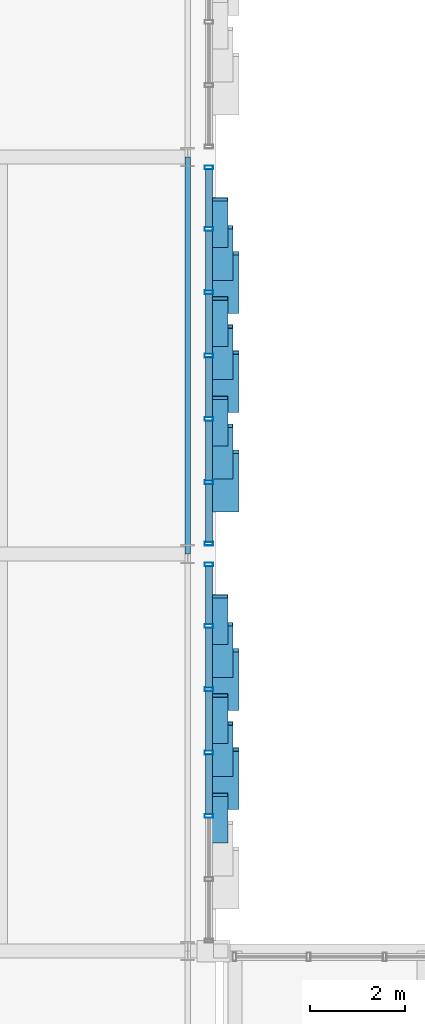
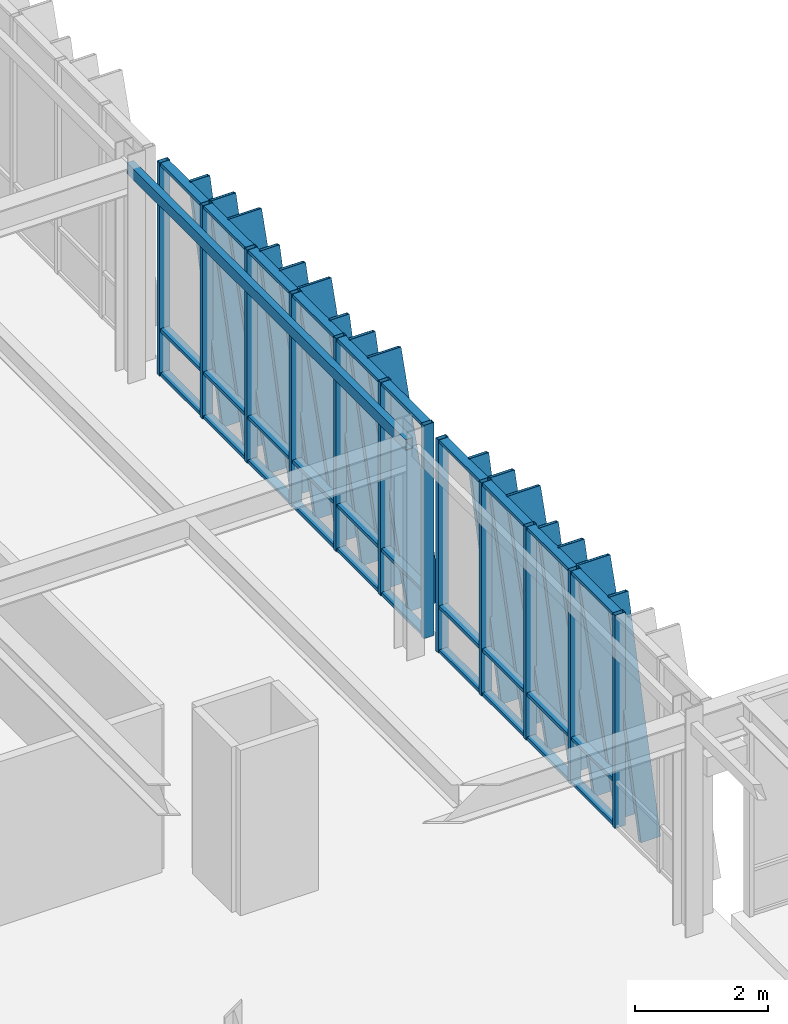
# One storey, part 60 of 127: 58 members, 1 beam, 2 elements without a shape of their own.
"""IFC4 building model written with IfcOpenShell, lengths in metres."""

from ifc_helpers import new_model, si_unit, direction, frame, origin, origin_2d, place, context, subcontext, project, spatial, hollow_rectangle, extrude, material, layer, layer_set, material_profile, profile_set, type_object, element, aggregate, save


model = new_model("IFC4")

# Units and contexts
model_context = context("Model", 3, precision=1e-05, world=origin(), true_north=direction((0.0, 1.0)))
body_context = subcontext(model_context, "Body", "Model", "MODEL_VIEW")
ifc_project = project(units=[si_unit("LENGTHUNIT", "METRE"), si_unit("AREAUNIT", "SQUARE_METRE"), si_unit("VOLUMEUNIT", "CUBIC_METRE"), si_unit("PLANEANGLEUNIT", "RADIAN"), si_unit("MASSUNIT", "GRAM", prefix="KILO")], contexts=[model_context])

# Site, building, storey
site_placement = place(None, origin())
site = spatial("IfcSite", under=ifc_project, at=site_placement, CompositionType="ELEMENT")
building_placement = place(site_placement, origin())
building = spatial("IfcBuilding", under=site, at=building_placement, Name="Zayran Congress Hotel", CompositionType="ELEMENT")
storey_placement = place(building_placement, frame((0.0, 0.0, 10.800048828125)))
storey = spatial("IfcBuildingStorey", under=building, at=storey_placement, Name="L02", CompositionType="ELEMENT", Elevation=10.800048828125)

# Beam
ifc_material_1 = material(Name="Steel S355", Category="steel")
ifc_material_profile_1 = material_profile(ifc_material_1, hollow_rectangle(XDim=0.1201171875, YDim=0.199951171875, WallThickness=0.008056640625, at=origin_2d()), Name="RHS 200x120x8")
ifc_profile_set_1 = profile_set([ifc_material_profile_1], Name="Steel S355")
beam_type = type_object("IfcBeamType", Name="TP-SP-02", PredefinedType="SPANDREL", material=ifc_profile_set_1)
beam_placement = place(storey_placement, frame((91.800048828125, 92.800048828125, 3.820068359375), z_axis=(0.0, 1.0, 0.0), x_axis=(-1.0, 0.0, 0.0)))
element("IfcBeam", 1, at=beam_placement, inside=storey, type_object=beam_type, Name="BM-V1-L02-0754", PredefinedType="SPANDREL", context=body_context, shape_type="SweptSolid", body=[
    extrude(hollow_rectangle(XDim=0.1201171875, YDim=0.199951171875, WallThickness=0.008056640625, at=origin_2d()), origin(), (0.0, 0.0, 1.0), 8.39990234375),
])

# Curtain wall, members
ifc_material_2 = material(Name="Anodised aluminium and low-E insulated glass", Category="aluminium")
ifc_layer_1 = layer(ifc_material_2, 0.179931640625)
ifc_layer_set_1 = layer_set([ifc_layer_1], Name="Anodised aluminium and low-E insulated glass")
curtain_wall_type_1 = type_object("IfcCurtainWallType", Name="CW-V1E-L02-CW-41-8040-3920", PredefinedType="USERDEFINED", material=ifc_layer_set_1)
curtain_wall_1_placement = place(storey_placement, origin())
curtain_wall_1 = element("IfcCurtainWall", 2, at=curtain_wall_1_placement, inside=storey, type_object=curtain_wall_type_1, Name="CW-V1E-L02-2", ObjectType="CURTAIN WALL", PredefinedType="USERDEFINED")
ifc_material_3 = material(Name="Anodised aluminium framing", Category="aluminium")
ifc_material_profile_2 = material_profile(ifc_material_3, hollow_rectangle(XDim=0.080078125, YDim=0.179931640625, WallThickness=0.0048828125, at=origin_2d()), Name="RHS 180x80x5")
ifc_profile_set_2 = profile_set([ifc_material_profile_2], Name="Anodised aluminium framing")
member_type_1 = type_object("IfcMemberType", Name="TP-CWM-01", PredefinedType="MULLION", material=ifc_profile_set_2)
member_1_placement = place(storey_placement, frame((92.25, 87.260009765625, 0.0), z_axis=(0.0, 0.0, 1.0), x_axis=(0.0, 1.0, 0.0)))
member_1 = element("IfcMember", 3, at=member_1_placement, type_object=member_type_1, Name="CW-V1E-L02-2-M02", PredefinedType="MULLION", context=body_context, shape_type="SweptSolid", body=[
    extrude(hollow_rectangle(XDim=0.080078125, YDim=0.179931640625, WallThickness=0.0048828125, at=origin_2d()), origin(), (0.0, 0.0, 1.0), 3.919921875),
])
member_2_placement = place(storey_placement, frame((92.25, 88.60009765625, 0.0), z_axis=(0.0, 0.0, 1.0), x_axis=(0.0, 1.0, 0.0)))
member_2 = element("IfcMember", 4, at=member_2_placement, type_object=member_type_1, Name="CW-V1E-L02-2-M03", PredefinedType="MULLION", context=body_context, shape_type="SweptSolid", body=[
    extrude(hollow_rectangle(XDim=0.080078125, YDim=0.179931640625, WallThickness=0.0048828125, at=origin_2d()), origin(), (0.0, 0.0, 1.0), 3.919921875),
])
member_3_placement = place(storey_placement, frame((92.25, 89.93994140625, 0.0), z_axis=(0.0, 0.0, 1.0), x_axis=(0.0, 1.0, 0.0)))
member_3 = element("IfcMember", 5, at=member_3_placement, type_object=member_type_1, Name="CW-V1E-L02-2-M04", PredefinedType="MULLION", context=body_context, shape_type="SweptSolid", body=[
    extrude(hollow_rectangle(XDim=0.080078125, YDim=0.179931640625, WallThickness=0.0048828125, at=origin_2d()), origin(), (0.0, 0.0, 1.0), 3.919921875),
])
member_4_placement = place(storey_placement, frame((92.25, 91.280029296875, 0.0), z_axis=(0.0, 0.0, 1.0), x_axis=(0.0, 1.0, 0.0)))
member_4 = element("IfcMember", 6, at=member_4_placement, type_object=member_type_1, Name="CW-V1E-L02-2-M05", PredefinedType="MULLION", context=body_context, shape_type="SweptSolid", body=[
    extrude(hollow_rectangle(XDim=0.080078125, YDim=0.179931640625, WallThickness=0.0048828125, at=origin_2d()), origin(), (0.0, 0.0, 1.0), 3.919921875),
])
member_5_placement = place(storey_placement, frame((92.25, 92.580078125, 0.0), z_axis=(0.0, 0.0, 1.0), x_axis=(0.0, 1.0, 0.0)))
member_5 = element("IfcMember", 7, at=member_5_placement, type_object=member_type_1, Name="CW-V1E-L02-2-M06", PredefinedType="MULLION", context=body_context, shape_type="SweptSolid", body=[
    extrude(hollow_rectangle(XDim=0.080078125, YDim=0.179931640625, WallThickness=0.0048828125, at=origin_2d()), origin(), (0.0, 0.0, 1.0), 3.919921875),
])

ifc_layer_2 = layer(ifc_material_2, 0.179931640625)
ifc_layer_set_2 = layer_set([ifc_layer_2], Name="Anodised aluminium and low-E insulated glass")
curtain_wall_type_2 = type_object("IfcCurtainWallType", Name="CW-V1E-L02-CW-42-8040-3920", PredefinedType="USERDEFINED", material=ifc_layer_set_2)
curtain_wall_2_placement = place(storey_placement, origin())
curtain_wall_2 = element("IfcCurtainWall", 8, at=curtain_wall_2_placement, inside=storey, type_object=curtain_wall_type_2, Name="CW-V1E-L02-3", ObjectType="CURTAIN WALL", PredefinedType="USERDEFINED")
member_6_placement = place(storey_placement, frame((92.25, 93.02001953125, 0.0), z_axis=(0.0, 0.0, 1.0), x_axis=(0.0, 1.0, 0.0)))
member_6 = element("IfcMember", 9, at=member_6_placement, type_object=member_type_1, Name="CW-V1E-L02-3-M00", PredefinedType="MULLION", context=body_context, shape_type="SweptSolid", body=[
    extrude(hollow_rectangle(XDim=0.080078125, YDim=0.179931640625, WallThickness=0.0048828125, at=origin_2d()), origin(), (0.0, 0.0, 1.0), 3.919921875),
])
member_7_placement = place(storey_placement, frame((92.25, 94.320068359375, 0.0), z_axis=(0.0, 0.0, 1.0), x_axis=(0.0, 1.0, 0.0)))
member_7 = element("IfcMember", 10, at=member_7_placement, type_object=member_type_1, Name="CW-V1E-L02-3-M01", PredefinedType="MULLION", context=body_context, shape_type="SweptSolid", body=[
    extrude(hollow_rectangle(XDim=0.080078125, YDim=0.179931640625, WallThickness=0.0048828125, at=origin_2d()), origin(), (0.0, 0.0, 1.0), 3.919921875),
])
member_8_placement = place(storey_placement, frame((92.25, 95.659912109375, 0.0), z_axis=(0.0, 0.0, 1.0), x_axis=(0.0, 1.0, 0.0)))
member_8 = element("IfcMember", 11, at=member_8_placement, type_object=member_type_1, Name="CW-V1E-L02-3-M02", PredefinedType="MULLION", context=body_context, shape_type="SweptSolid", body=[
    extrude(hollow_rectangle(XDim=0.080078125, YDim=0.179931640625, WallThickness=0.0048828125, at=origin_2d()), origin(), (0.0, 0.0, 1.0), 3.919921875),
])
member_9_placement = place(storey_placement, frame((92.25, 97.0, 0.0), z_axis=(0.0, 0.0, 1.0), x_axis=(0.0, 1.0, 0.0)))
member_9 = element("IfcMember", 12, at=member_9_placement, type_object=member_type_1, Name="CW-V1E-L02-3-M03", PredefinedType="MULLION", context=body_context, shape_type="SweptSolid", body=[
    extrude(hollow_rectangle(XDim=0.080078125, YDim=0.179931640625, WallThickness=0.0048828125, at=origin_2d()), origin(), (0.0, 0.0, 1.0), 3.919921875),
])
member_10_placement = place(storey_placement, frame((92.25, 98.340087890625, 0.0), z_axis=(0.0, 0.0, 1.0), x_axis=(0.0, 1.0, 0.0)))
member_10 = element("IfcMember", 13, at=member_10_placement, type_object=member_type_1, Name="CW-V1E-L02-3-M04", PredefinedType="MULLION", context=body_context, shape_type="SweptSolid", body=[
    extrude(hollow_rectangle(XDim=0.080078125, YDim=0.179931640625, WallThickness=0.0048828125, at=origin_2d()), origin(), (0.0, 0.0, 1.0), 3.919921875),
])
member_11_placement = place(storey_placement, frame((92.25, 99.679931640625, 0.0), z_axis=(0.0, 0.0, 1.0), x_axis=(0.0, 1.0, 0.0)))
member_11 = element("IfcMember", 14, at=member_11_placement, type_object=member_type_1, Name="CW-V1E-L02-3-M05", PredefinedType="MULLION", context=body_context, shape_type="SweptSolid", body=[
    extrude(hollow_rectangle(XDim=0.080078125, YDim=0.179931640625, WallThickness=0.0048828125, at=origin_2d()), origin(), (0.0, 0.0, 1.0), 3.919921875),
])
member_12_placement = place(storey_placement, frame((92.25, 100.97998046875, 0.0), z_axis=(0.0, 0.0, 1.0), x_axis=(0.0, 1.0, 0.0)))
member_12 = element("IfcMember", 15, at=member_12_placement, type_object=member_type_1, Name="CW-V1E-L02-3-M06", PredefinedType="MULLION", context=body_context, shape_type="SweptSolid", body=[
    extrude(hollow_rectangle(XDim=0.080078125, YDim=0.179931640625, WallThickness=0.0048828125, at=origin_2d()), origin(), (0.0, 0.0, 1.0), 3.919921875),
])

# Member
ifc_material_profile_3 = material_profile(ifc_material_3, hollow_rectangle(XDim=0.06005859375, YDim=0.14990234375, WallThickness=0.00390625, at=origin_2d()), Name="RHS 150x60x4")
ifc_profile_set_3 = profile_set([ifc_material_profile_3], Name="Anodised aluminium framing")
member_type_2 = type_object("IfcMemberType", Name="TP-CWT-01", PredefinedType="USERDEFINED", material=ifc_profile_set_3)
member_13_placement = place(storey_placement, frame((92.25, 87.300048828125, 0.030029296875), z_axis=(0.0, 1.0, 0.0), x_axis=(0.0, 0.0, 1.0)))
member_13 = element("IfcMember", 16, at=member_13_placement, type_object=member_type_2, Name="CW-V1E-L02-2-T02-0", ObjectType="TRANSOM", PredefinedType="USERDEFINED", context=body_context, shape_type="SweptSolid", body=[
    extrude(hollow_rectangle(XDim=0.06005859375, YDim=0.14990234375, WallThickness=0.00390625, at=origin_2d()), origin(), (0.0, 0.0, 1.0), 1.260009765625),
])

member_14_placement = place(storey_placement, frame((92.25, 87.300048828125, 0.83984375), z_axis=(0.0, 1.0, 0.0), x_axis=(0.0, 0.0, 1.0)))
member_14 = element("IfcMember", 17, at=member_14_placement, type_object=member_type_2, Name="CW-V1E-L02-2-T02-1", ObjectType="TRANSOM", PredefinedType="USERDEFINED", context=body_context, shape_type="SweptSolid", body=[
    extrude(hollow_rectangle(XDim=0.06005859375, YDim=0.14990234375, WallThickness=0.00390625, at=origin_2d()), origin(), (0.0, 0.0, 1.0), 1.260009765625),
])

member_15_placement = place(storey_placement, frame((92.25, 87.300048828125, 3.889892578125), z_axis=(0.0, 1.0, 0.0), x_axis=(0.0, 0.0, 1.0)))
member_15 = element("IfcMember", 18, at=member_15_placement, type_object=member_type_2, Name="CW-V1E-L02-2-T02-2", ObjectType="TRANSOM", PredefinedType="USERDEFINED", context=body_context, shape_type="SweptSolid", body=[
    extrude(hollow_rectangle(XDim=0.06005859375, YDim=0.14990234375, WallThickness=0.00390625, at=origin_2d()), origin(), (0.0, 0.0, 1.0), 1.260009765625),
])

member_16_placement = place(storey_placement, frame((92.25, 88.639892578125, 0.030029296875), z_axis=(0.0, 1.0, 0.0), x_axis=(0.0, 0.0, 1.0)))
member_16 = element("IfcMember", 19, at=member_16_placement, type_object=member_type_2, Name="CW-V1E-L02-2-T03-0", ObjectType="TRANSOM", PredefinedType="USERDEFINED", context=body_context, shape_type="SweptSolid", body=[
    extrude(hollow_rectangle(XDim=0.06005859375, YDim=0.14990234375, WallThickness=0.00390625, at=origin_2d()), origin(), (0.0, 0.0, 1.0), 1.260009765625),
])

member_17_placement = place(storey_placement, frame((92.25, 88.639892578125, 0.83984375), z_axis=(0.0, 1.0, 0.0), x_axis=(0.0, 0.0, 1.0)))
member_17 = element("IfcMember", 20, at=member_17_placement, type_object=member_type_2, Name="CW-V1E-L02-2-T03-1", ObjectType="TRANSOM", PredefinedType="USERDEFINED", context=body_context, shape_type="SweptSolid", body=[
    extrude(hollow_rectangle(XDim=0.06005859375, YDim=0.14990234375, WallThickness=0.00390625, at=origin_2d()), origin(), (0.0, 0.0, 1.0), 1.260009765625),
])

member_18_placement = place(storey_placement, frame((92.25, 88.639892578125, 3.889892578125), z_axis=(0.0, 1.0, 0.0), x_axis=(0.0, 0.0, 1.0)))
member_18 = element("IfcMember", 21, at=member_18_placement, type_object=member_type_2, Name="CW-V1E-L02-2-T03-2", ObjectType="TRANSOM", PredefinedType="USERDEFINED", context=body_context, shape_type="SweptSolid", body=[
    extrude(hollow_rectangle(XDim=0.06005859375, YDim=0.14990234375, WallThickness=0.00390625, at=origin_2d()), origin(), (0.0, 0.0, 1.0), 1.260009765625),
])

member_19_placement = place(storey_placement, frame((92.25, 89.97998046875, 0.030029296875), z_axis=(0.0, 1.0, 0.0), x_axis=(0.0, 0.0, 1.0)))
member_19 = element("IfcMember", 22, at=member_19_placement, type_object=member_type_2, Name="CW-V1E-L02-2-T04-0", ObjectType="TRANSOM", PredefinedType="USERDEFINED", context=body_context, shape_type="SweptSolid", body=[
    extrude(hollow_rectangle(XDim=0.06005859375, YDim=0.14990234375, WallThickness=0.00390625, at=origin_2d()), origin(), (0.0, 0.0, 1.0), 1.260009765625),
])

member_20_placement = place(storey_placement, frame((92.25, 89.97998046875, 0.83984375), z_axis=(0.0, 1.0, 0.0), x_axis=(0.0, 0.0, 1.0)))
member_20 = element("IfcMember", 23, at=member_20_placement, type_object=member_type_2, Name="CW-V1E-L02-2-T04-1", ObjectType="TRANSOM", PredefinedType="USERDEFINED", context=body_context, shape_type="SweptSolid", body=[
    extrude(hollow_rectangle(XDim=0.06005859375, YDim=0.14990234375, WallThickness=0.00390625, at=origin_2d()), origin(), (0.0, 0.0, 1.0), 1.260009765625),
])

member_21_placement = place(storey_placement, frame((92.25, 89.97998046875, 3.889892578125), z_axis=(0.0, 1.0, 0.0), x_axis=(0.0, 0.0, 1.0)))
member_21 = element("IfcMember", 24, at=member_21_placement, type_object=member_type_2, Name="CW-V1E-L02-2-T04-2", ObjectType="TRANSOM", PredefinedType="USERDEFINED", context=body_context, shape_type="SweptSolid", body=[
    extrude(hollow_rectangle(XDim=0.06005859375, YDim=0.14990234375, WallThickness=0.00390625, at=origin_2d()), origin(), (0.0, 0.0, 1.0), 1.260009765625),
])

member_22_placement = place(storey_placement, frame((92.25, 91.320068359375, 0.030029296875), z_axis=(0.0, 1.0, 0.0), x_axis=(0.0, 0.0, 1.0)))
member_22 = element("IfcMember", 25, at=member_22_placement, type_object=member_type_2, Name="CW-V1E-L02-2-T05-0", ObjectType="TRANSOM", PredefinedType="USERDEFINED", context=body_context, shape_type="SweptSolid", body=[
    extrude(hollow_rectangle(XDim=0.06005859375, YDim=0.14990234375, WallThickness=0.00390625, at=origin_2d()), origin(), (0.0, 0.0, 1.0), 1.219970703125),
])

member_23_placement = place(storey_placement, frame((92.25, 91.320068359375, 0.83984375), z_axis=(0.0, 1.0, 0.0), x_axis=(0.0, 0.0, 1.0)))
member_23 = element("IfcMember", 26, at=member_23_placement, type_object=member_type_2, Name="CW-V1E-L02-2-T05-1", ObjectType="TRANSOM", PredefinedType="USERDEFINED", context=body_context, shape_type="SweptSolid", body=[
    extrude(hollow_rectangle(XDim=0.06005859375, YDim=0.14990234375, WallThickness=0.00390625, at=origin_2d()), origin(), (0.0, 0.0, 1.0), 1.219970703125),
])

member_24_placement = place(storey_placement, frame((92.25, 91.320068359375, 3.889892578125), z_axis=(0.0, 1.0, 0.0), x_axis=(0.0, 0.0, 1.0)))
member_24 = element("IfcMember", 27, at=member_24_placement, type_object=member_type_2, Name="CW-V1E-L02-2-T05-2", ObjectType="TRANSOM", PredefinedType="USERDEFINED", context=body_context, shape_type="SweptSolid", body=[
    extrude(hollow_rectangle(XDim=0.06005859375, YDim=0.14990234375, WallThickness=0.00390625, at=origin_2d()), origin(), (0.0, 0.0, 1.0), 1.219970703125),
])

member_25_placement = place(storey_placement, frame((92.25, 93.06005859375, 0.030029296875), z_axis=(0.0, 1.0, 0.0), x_axis=(0.0, 0.0, 1.0)))
member_25 = element("IfcMember", 28, at=member_25_placement, type_object=member_type_2, Name="CW-V1E-L02-3-T00-0", ObjectType="TRANSOM", PredefinedType="USERDEFINED", context=body_context, shape_type="SweptSolid", body=[
    extrude(hollow_rectangle(XDim=0.06005859375, YDim=0.14990234375, WallThickness=0.00390625, at=origin_2d()), origin(), (0.0, 0.0, 1.0), 1.219970703125),
])

member_26_placement = place(storey_placement, frame((92.25, 93.06005859375, 0.83984375), z_axis=(0.0, 1.0, 0.0), x_axis=(0.0, 0.0, 1.0)))
member_26 = element("IfcMember", 29, at=member_26_placement, type_object=member_type_2, Name="CW-V1E-L02-3-T00-1", ObjectType="TRANSOM", PredefinedType="USERDEFINED", context=body_context, shape_type="SweptSolid", body=[
    extrude(hollow_rectangle(XDim=0.06005859375, YDim=0.14990234375, WallThickness=0.00390625, at=origin_2d()), origin(), (0.0, 0.0, 1.0), 1.219970703125),
])

member_27_placement = place(storey_placement, frame((92.25, 93.06005859375, 3.889892578125), z_axis=(0.0, 1.0, 0.0), x_axis=(0.0, 0.0, 1.0)))
member_27 = element("IfcMember", 30, at=member_27_placement, type_object=member_type_2, Name="CW-V1E-L02-3-T00-2", ObjectType="TRANSOM", PredefinedType="USERDEFINED", context=body_context, shape_type="SweptSolid", body=[
    extrude(hollow_rectangle(XDim=0.06005859375, YDim=0.14990234375, WallThickness=0.00390625, at=origin_2d()), origin(), (0.0, 0.0, 1.0), 1.219970703125),
])

member_28_placement = place(storey_placement, frame((92.25, 94.360107421875, 0.030029296875), z_axis=(0.0, 1.0, 0.0), x_axis=(0.0, 0.0, 1.0)))
member_28 = element("IfcMember", 31, at=member_28_placement, type_object=member_type_2, Name="CW-V1E-L02-3-T01-0", ObjectType="TRANSOM", PredefinedType="USERDEFINED", context=body_context, shape_type="SweptSolid", body=[
    extrude(hollow_rectangle(XDim=0.06005859375, YDim=0.14990234375, WallThickness=0.00390625, at=origin_2d()), origin(), (0.0, 0.0, 1.0), 1.260009765625),
])

member_29_placement = place(storey_placement, frame((92.25, 94.360107421875, 0.83984375), z_axis=(0.0, 1.0, 0.0), x_axis=(0.0, 0.0, 1.0)))
member_29 = element("IfcMember", 32, at=member_29_placement, type_object=member_type_2, Name="CW-V1E-L02-3-T01-1", ObjectType="TRANSOM", PredefinedType="USERDEFINED", context=body_context, shape_type="SweptSolid", body=[
    extrude(hollow_rectangle(XDim=0.06005859375, YDim=0.14990234375, WallThickness=0.00390625, at=origin_2d()), origin(), (0.0, 0.0, 1.0), 1.260009765625),
])

member_30_placement = place(storey_placement, frame((92.25, 94.360107421875, 3.889892578125), z_axis=(0.0, 1.0, 0.0), x_axis=(0.0, 0.0, 1.0)))
member_30 = element("IfcMember", 33, at=member_30_placement, type_object=member_type_2, Name="CW-V1E-L02-3-T01-2", ObjectType="TRANSOM", PredefinedType="USERDEFINED", context=body_context, shape_type="SweptSolid", body=[
    extrude(hollow_rectangle(XDim=0.06005859375, YDim=0.14990234375, WallThickness=0.00390625, at=origin_2d()), origin(), (0.0, 0.0, 1.0), 1.260009765625),
])

member_31_placement = place(storey_placement, frame((92.25, 95.699951171875, 0.030029296875), z_axis=(0.0, 1.0, 0.0), x_axis=(0.0, 0.0, 1.0)))
member_31 = element("IfcMember", 34, at=member_31_placement, type_object=member_type_2, Name="CW-V1E-L02-3-T02-0", ObjectType="TRANSOM", PredefinedType="USERDEFINED", context=body_context, shape_type="SweptSolid", body=[
    extrude(hollow_rectangle(XDim=0.06005859375, YDim=0.14990234375, WallThickness=0.00390625, at=origin_2d()), origin(), (0.0, 0.0, 1.0), 1.260009765625),
])

member_32_placement = place(storey_placement, frame((92.25, 95.699951171875, 0.83984375), z_axis=(0.0, 1.0, 0.0), x_axis=(0.0, 0.0, 1.0)))
member_32 = element("IfcMember", 35, at=member_32_placement, type_object=member_type_2, Name="CW-V1E-L02-3-T02-1", ObjectType="TRANSOM", PredefinedType="USERDEFINED", context=body_context, shape_type="SweptSolid", body=[
    extrude(hollow_rectangle(XDim=0.06005859375, YDim=0.14990234375, WallThickness=0.00390625, at=origin_2d()), origin(), (0.0, 0.0, 1.0), 1.260009765625),
])

member_33_placement = place(storey_placement, frame((92.25, 95.699951171875, 3.889892578125), z_axis=(0.0, 1.0, 0.0), x_axis=(0.0, 0.0, 1.0)))
member_33 = element("IfcMember", 36, at=member_33_placement, type_object=member_type_2, Name="CW-V1E-L02-3-T02-2", ObjectType="TRANSOM", PredefinedType="USERDEFINED", context=body_context, shape_type="SweptSolid", body=[
    extrude(hollow_rectangle(XDim=0.06005859375, YDim=0.14990234375, WallThickness=0.00390625, at=origin_2d()), origin(), (0.0, 0.0, 1.0), 1.260009765625),
])

member_34_placement = place(storey_placement, frame((92.25, 97.0400390625, 0.030029296875), z_axis=(0.0, 1.0, 0.0), x_axis=(0.0, 0.0, 1.0)))
member_34 = element("IfcMember", 37, at=member_34_placement, type_object=member_type_2, Name="CW-V1E-L02-3-T03-0", ObjectType="TRANSOM", PredefinedType="USERDEFINED", context=body_context, shape_type="SweptSolid", body=[
    extrude(hollow_rectangle(XDim=0.06005859375, YDim=0.14990234375, WallThickness=0.00390625, at=origin_2d()), origin(), (0.0, 0.0, 1.0), 1.260009765625),
])

member_35_placement = place(storey_placement, frame((92.25, 97.0400390625, 0.83984375), z_axis=(0.0, 1.0, 0.0), x_axis=(0.0, 0.0, 1.0)))
member_35 = element("IfcMember", 38, at=member_35_placement, type_object=member_type_2, Name="CW-V1E-L02-3-T03-1", ObjectType="TRANSOM", PredefinedType="USERDEFINED", context=body_context, shape_type="SweptSolid", body=[
    extrude(hollow_rectangle(XDim=0.06005859375, YDim=0.14990234375, WallThickness=0.00390625, at=origin_2d()), origin(), (0.0, 0.0, 1.0), 1.260009765625),
])

member_36_placement = place(storey_placement, frame((92.25, 97.0400390625, 3.889892578125), z_axis=(0.0, 1.0, 0.0), x_axis=(0.0, 0.0, 1.0)))
member_36 = element("IfcMember", 39, at=member_36_placement, type_object=member_type_2, Name="CW-V1E-L02-3-T03-2", ObjectType="TRANSOM", PredefinedType="USERDEFINED", context=body_context, shape_type="SweptSolid", body=[
    extrude(hollow_rectangle(XDim=0.06005859375, YDim=0.14990234375, WallThickness=0.00390625, at=origin_2d()), origin(), (0.0, 0.0, 1.0), 1.260009765625),
])

member_37_placement = place(storey_placement, frame((92.25, 98.3798828125, 0.030029296875), z_axis=(0.0, 1.0, 0.0), x_axis=(0.0, 0.0, 1.0)))
member_37 = element("IfcMember", 40, at=member_37_placement, type_object=member_type_2, Name="CW-V1E-L02-3-T04-0", ObjectType="TRANSOM", PredefinedType="USERDEFINED", context=body_context, shape_type="SweptSolid", body=[
    extrude(hollow_rectangle(XDim=0.06005859375, YDim=0.14990234375, WallThickness=0.00390625, at=origin_2d()), origin(), (0.0, 0.0, 1.0), 1.260009765625),
])

member_38_placement = place(storey_placement, frame((92.25, 98.3798828125, 0.83984375), z_axis=(0.0, 1.0, 0.0), x_axis=(0.0, 0.0, 1.0)))
member_38 = element("IfcMember", 41, at=member_38_placement, type_object=member_type_2, Name="CW-V1E-L02-3-T04-1", ObjectType="TRANSOM", PredefinedType="USERDEFINED", context=body_context, shape_type="SweptSolid", body=[
    extrude(hollow_rectangle(XDim=0.06005859375, YDim=0.14990234375, WallThickness=0.00390625, at=origin_2d()), origin(), (0.0, 0.0, 1.0), 1.260009765625),
])

member_39_placement = place(storey_placement, frame((92.25, 98.3798828125, 3.889892578125), z_axis=(0.0, 1.0, 0.0), x_axis=(0.0, 0.0, 1.0)))
member_39 = element("IfcMember", 42, at=member_39_placement, type_object=member_type_2, Name="CW-V1E-L02-3-T04-2", ObjectType="TRANSOM", PredefinedType="USERDEFINED", context=body_context, shape_type="SweptSolid", body=[
    extrude(hollow_rectangle(XDim=0.06005859375, YDim=0.14990234375, WallThickness=0.00390625, at=origin_2d()), origin(), (0.0, 0.0, 1.0), 1.260009765625),
])

member_40_placement = place(storey_placement, frame((92.25, 99.719970703125, 0.030029296875), z_axis=(0.0, 1.0, 0.0), x_axis=(0.0, 0.0, 1.0)))
member_40 = element("IfcMember", 43, at=member_40_placement, type_object=member_type_2, Name="CW-V1E-L02-3-T05-0", ObjectType="TRANSOM", PredefinedType="USERDEFINED", context=body_context, shape_type="SweptSolid", body=[
    extrude(hollow_rectangle(XDim=0.06005859375, YDim=0.14990234375, WallThickness=0.00390625, at=origin_2d()), origin(), (0.0, 0.0, 1.0), 1.219970703125),
])

member_41_placement = place(storey_placement, frame((92.25, 99.719970703125, 0.83984375), z_axis=(0.0, 1.0, 0.0), x_axis=(0.0, 0.0, 1.0)))
member_41 = element("IfcMember", 44, at=member_41_placement, type_object=member_type_2, Name="CW-V1E-L02-3-T05-1", ObjectType="TRANSOM", PredefinedType="USERDEFINED", context=body_context, shape_type="SweptSolid", body=[
    extrude(hollow_rectangle(XDim=0.06005859375, YDim=0.14990234375, WallThickness=0.00390625, at=origin_2d()), origin(), (0.0, 0.0, 1.0), 1.219970703125),
])

member_42_placement = place(storey_placement, frame((92.25, 99.719970703125, 3.889892578125), z_axis=(0.0, 1.0, 0.0), x_axis=(0.0, 0.0, 1.0)))
member_42 = element("IfcMember", 45, at=member_42_placement, type_object=member_type_2, Name="CW-V1E-L02-3-T05-2", ObjectType="TRANSOM", PredefinedType="USERDEFINED", context=body_context, shape_type="SweptSolid", body=[
    extrude(hollow_rectangle(XDim=0.06005859375, YDim=0.14990234375, WallThickness=0.00390625, at=origin_2d()), origin(), (0.0, 0.0, 1.0), 1.219970703125),
])

ifc_material_4 = material(Name="Warm bronze anodised aluminium", Category="aluminium")
ifc_material_profile_4 = material_profile(ifc_material_4, hollow_rectangle(XDim=0.080078125, YDim=0.580078125, WallThickness=0.006103515625, at=origin_2d()), Name="RHS 580x80x6")
ifc_profile_set_4 = profile_set([ifc_material_profile_4], Name="Warm bronze anodised aluminium")
member_type_3 = type_object("IfcMemberType", Name="TP-RFN-01", PredefinedType="MULLION", material=ifc_profile_set_4)
member_43_placement = place(storey_placement, frame((92.60009765625, 87.429931640625, 0.0), z_axis=(0.0, 0.300736197829, 0.953707365661), x_axis=(0.0, -0.953707365661, 0.300736197829)))
member_43 = element("IfcMember", 46, at=member_43_placement, type_object=member_type_3, Name="Slanting Reed Mullion CW-41-04", PredefinedType="MULLION", context=body_context, shape_type="SweptSolid", body=[
    extrude(hollow_rectangle(XDim=0.080078125, YDim=0.580078125, WallThickness=0.006103515625, at=origin_2d()), origin(), (0.0, 0.0, 1.0), 4.110107421875),
])

member_44_placement = place(storey_placement, frame((92.60009765625, 89.530029296875, 0.0), z_axis=(0.0, 0.300736197829, 0.953707365661), x_axis=(0.0, -0.953707365661, 0.300736197829)))
member_44 = element("IfcMember", 47, at=member_44_placement, type_object=member_type_3, Name="Slanting Reed Mullion CW-41-07", PredefinedType="MULLION", context=body_context, shape_type="SweptSolid", body=[
    extrude(hollow_rectangle(XDim=0.080078125, YDim=0.580078125, WallThickness=0.006103515625, at=origin_2d()), origin(), (0.0, 0.0, 1.0), 4.110107421875),
])

member_45_placement = place(storey_placement, frame((92.60009765625, 93.72998046875, 0.0), z_axis=(0.0, 0.300736197829, 0.953707365661), x_axis=(0.0, -0.953707365661, 0.300736197829)))
member_45 = element("IfcMember", 48, at=member_45_placement, type_object=member_type_3, Name="Slanting Reed Mullion CW-42-01", PredefinedType="MULLION", context=body_context, shape_type="SweptSolid", body=[
    extrude(hollow_rectangle(XDim=0.080078125, YDim=0.580078125, WallThickness=0.006103515625, at=origin_2d()), origin(), (0.0, 0.0, 1.0), 4.110107421875),
])

member_46_placement = place(storey_placement, frame((92.60009765625, 95.830078125, 0.0), z_axis=(0.0, 0.30068216973, 0.953724400866), x_axis=(0.0, -0.953724400866, 0.30068216973)))
member_46 = element("IfcMember", 49, at=member_46_placement, type_object=member_type_3, Name="Slanting Reed Mullion CW-42-04", PredefinedType="MULLION", context=body_context, shape_type="SweptSolid", body=[
    extrude(hollow_rectangle(XDim=0.080078125, YDim=0.580078125, WallThickness=0.006103515625, at=origin_2d()), origin(), (0.0, 0.0, 1.0), 4.110107421875),
])

member_47_placement = place(storey_placement, frame((92.60009765625, 97.929931640625, 0.0), z_axis=(0.0, 0.300736197829, 0.953707365661), x_axis=(0.0, -0.953707365661, 0.300736197829)))
member_47 = element("IfcMember", 50, at=member_47_placement, type_object=member_type_3, Name="Slanting Reed Mullion CW-42-07", PredefinedType="MULLION", context=body_context, shape_type="SweptSolid", body=[
    extrude(hollow_rectangle(XDim=0.080078125, YDim=0.580078125, WallThickness=0.006103515625, at=origin_2d()), origin(), (0.0, 0.0, 1.0), 4.110107421875),
])

ifc_material_profile_5 = material_profile(ifc_material_4, hollow_rectangle(XDim=0.080078125, YDim=0.449951171875, WallThickness=0.006103515625, at=origin_2d()), Name="RHS 450x80x6")
ifc_profile_set_5 = profile_set([ifc_material_profile_5], Name="Warm bronze anodised aluminium")
member_type_4 = type_object("IfcMemberType", Name="TP-RFN-02", PredefinedType="MULLION", material=ifc_profile_set_5)
member_48_placement = place(storey_placement, frame((92.534912109375, 88.1298828125, 0.0), z_axis=(0.0, 0.267253820088, 0.963626170072), x_axis=(0.0, -0.963626170072, 0.267253820088)))
member_48 = element("IfcMember", 51, at=member_48_placement, type_object=member_type_4, Name="Slanting Reed Mullion CW-41-05", PredefinedType="MULLION", context=body_context, shape_type="SweptSolid", body=[
    extrude(hollow_rectangle(XDim=0.080078125, YDim=0.449951171875, WallThickness=0.006103515625, at=origin_2d()), origin(), (0.0, 0.0, 1.0), 4.06787109375),
])

member_49_placement = place(storey_placement, frame((92.534912109375, 90.22998046875, 0.0), z_axis=(0.0, 0.267253820088, 0.963626170072), x_axis=(0.0, -0.963626170072, 0.267253820088)))
member_49 = element("IfcMember", 52, at=member_49_placement, type_object=member_type_4, Name="Slanting Reed Mullion CW-41-08", PredefinedType="MULLION", context=body_context, shape_type="SweptSolid", body=[
    extrude(hollow_rectangle(XDim=0.080078125, YDim=0.449951171875, WallThickness=0.006103515625, at=origin_2d()), origin(), (0.0, 0.0, 1.0), 4.06787109375),
])

member_50_placement = place(storey_placement, frame((92.534912109375, 94.429931640625, 0.0), z_axis=(0.0, 0.267253820088, 0.963626170072), x_axis=(0.0, -0.963626170072, 0.267253820088)))
member_50 = element("IfcMember", 53, at=member_50_placement, type_object=member_type_4, Name="Slanting Reed Mullion CW-42-02", PredefinedType="MULLION", context=body_context, shape_type="SweptSolid", body=[
    extrude(hollow_rectangle(XDim=0.080078125, YDim=0.449951171875, WallThickness=0.006103515625, at=origin_2d()), origin(), (0.0, 0.0, 1.0), 4.06787109375),
])

member_51_placement = place(storey_placement, frame((92.534912109375, 96.530029296875, 0.0), z_axis=(0.0, 0.267253820088, 0.963626170072), x_axis=(0.0, -0.963626170072, 0.267253820088)))
member_51 = element("IfcMember", 54, at=member_51_placement, type_object=member_type_4, Name="Slanting Reed Mullion CW-42-05", PredefinedType="MULLION", context=body_context, shape_type="SweptSolid", body=[
    extrude(hollow_rectangle(XDim=0.080078125, YDim=0.449951171875, WallThickness=0.006103515625, at=origin_2d()), origin(), (0.0, 0.0, 1.0), 4.06787109375),
])

member_52_placement = place(storey_placement, frame((92.534912109375, 98.6298828125, 0.0), z_axis=(0.0, 0.267253820088, 0.963626170072), x_axis=(0.0, -0.963626170072, 0.267253820088)))
member_52 = element("IfcMember", 55, at=member_52_placement, type_object=member_type_4, Name="Slanting Reed Mullion CW-42-08", PredefinedType="MULLION", context=body_context, shape_type="SweptSolid", body=[
    extrude(hollow_rectangle(XDim=0.080078125, YDim=0.449951171875, WallThickness=0.006103515625, at=origin_2d()), origin(), (0.0, 0.0, 1.0), 4.06787109375),
])

ifc_material_profile_6 = material_profile(ifc_material_4, hollow_rectangle(XDim=0.080078125, YDim=0.340087890625, WallThickness=0.006103515625, at=origin_2d()), Name="RHS 340x80x6")
ifc_profile_set_6 = profile_set([ifc_material_profile_6], Name="Warm bronze anodised aluminium")
member_type_5 = type_object("IfcMemberType", Name="TP-RFN-03", PredefinedType="MULLION", material=ifc_profile_set_6)
member_53_placement = place(storey_placement, frame((92.47998046875, 86.72998046875, 0.0), z_axis=(0.0, 0.24196681843, 0.970284524652), x_axis=(0.0, -0.970284524652, 0.24196681843)))
member_53 = element("IfcMember", 56, at=member_53_placement, type_object=member_type_5, Name="Slanting Reed Mullion CW-41-03", PredefinedType="MULLION", context=body_context, shape_type="SweptSolid", body=[
    extrude(hollow_rectangle(XDim=0.080078125, YDim=0.340087890625, WallThickness=0.006103515625, at=origin_2d()), origin(), (0.0, 0.0, 1.0), 4.0400390625),
])

member_54_placement = place(storey_placement, frame((92.47998046875, 88.830078125, 0.0), z_axis=(0.0, 0.241909924035, 0.970298711044), x_axis=(0.0, -0.970298711044, 0.241909924035)))
member_54 = element("IfcMember", 57, at=member_54_placement, type_object=member_type_5, Name="Slanting Reed Mullion CW-41-06", PredefinedType="MULLION", context=body_context, shape_type="SweptSolid", body=[
    extrude(hollow_rectangle(XDim=0.080078125, YDim=0.340087890625, WallThickness=0.006103515625, at=origin_2d()), origin(), (0.0, 0.0, 1.0), 4.039794921875),
])

member_55_placement = place(storey_placement, frame((92.47998046875, 90.929931640625, 0.0), z_axis=(0.0, 0.24196681843, 0.970284524652), x_axis=(0.0, -0.970284524652, 0.24196681843)))
member_55 = element("IfcMember", 58, at=member_55_placement, type_object=member_type_5, Name="Slanting Reed Mullion CW-41-09", PredefinedType="MULLION", context=body_context, shape_type="SweptSolid", body=[
    extrude(hollow_rectangle(XDim=0.080078125, YDim=0.340087890625, WallThickness=0.006103515625, at=origin_2d()), origin(), (0.0, 0.0, 1.0), 4.0400390625),
])

aggregate(curtain_wall_1, [member_1, member_2, member_3, member_4, member_5, member_13, member_14, member_15, member_16, member_17, member_18, member_19, member_20, member_21, member_22, member_23, member_24, member_53, member_43, member_48, member_54, member_44, member_49, member_55])

member_56_placement = place(storey_placement, frame((92.47998046875, 95.1298828125, 0.0), z_axis=(0.0, 0.24196681843, 0.970284524652), x_axis=(0.0, -0.970284524652, 0.24196681843)))
member_56 = element("IfcMember", 59, at=member_56_placement, type_object=member_type_5, Name="Slanting Reed Mullion CW-42-03", PredefinedType="MULLION", context=body_context, shape_type="SweptSolid", body=[
    extrude(hollow_rectangle(XDim=0.080078125, YDim=0.340087890625, WallThickness=0.006103515625, at=origin_2d()), origin(), (0.0, 0.0, 1.0), 4.0400390625),
])

member_57_placement = place(storey_placement, frame((92.47998046875, 97.22998046875, 0.0), z_axis=(0.0, 0.24196681843, 0.970284524652), x_axis=(0.0, -0.970284524652, 0.24196681843)))
member_57 = element("IfcMember", 60, at=member_57_placement, type_object=member_type_5, Name="Slanting Reed Mullion CW-42-06", PredefinedType="MULLION", context=body_context, shape_type="SweptSolid", body=[
    extrude(hollow_rectangle(XDim=0.080078125, YDim=0.340087890625, WallThickness=0.006103515625, at=origin_2d()), origin(), (0.0, 0.0, 1.0), 4.0400390625),
])

member_58_placement = place(storey_placement, frame((92.47998046875, 99.330078125, 0.0), z_axis=(0.0, 0.241909924035, 0.970298711044), x_axis=(0.0, -0.970298711044, 0.241909924035)))
member_58 = element("IfcMember", 61, at=member_58_placement, type_object=member_type_5, Name="Slanting Reed Mullion CW-42-09", PredefinedType="MULLION", context=body_context, shape_type="SweptSolid", body=[
    extrude(hollow_rectangle(XDim=0.080078125, YDim=0.340087890625, WallThickness=0.006103515625, at=origin_2d()), origin(), (0.0, 0.0, 1.0), 4.039794921875),
])

aggregate(curtain_wall_2, [member_6, member_7, member_8, member_9, member_10, member_11, member_12, member_25, member_26, member_27, member_28, member_29, member_30, member_31, member_32, member_33, member_34, member_35, member_36, member_37, member_38, member_39, member_40, member_41, member_42, member_45, member_50, member_56, member_46, member_51, member_57, member_47, member_52, member_58])

save(model, "model.ifc")
